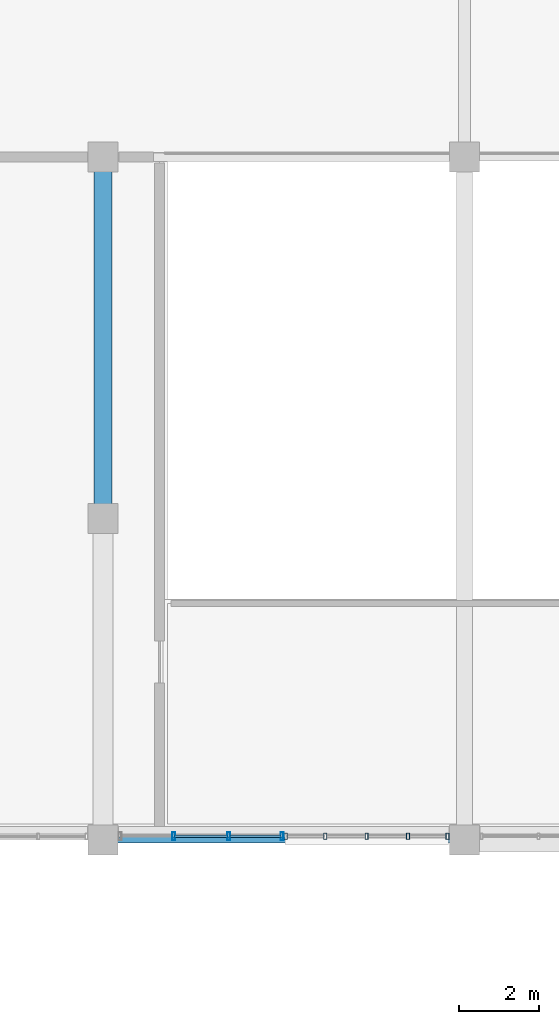
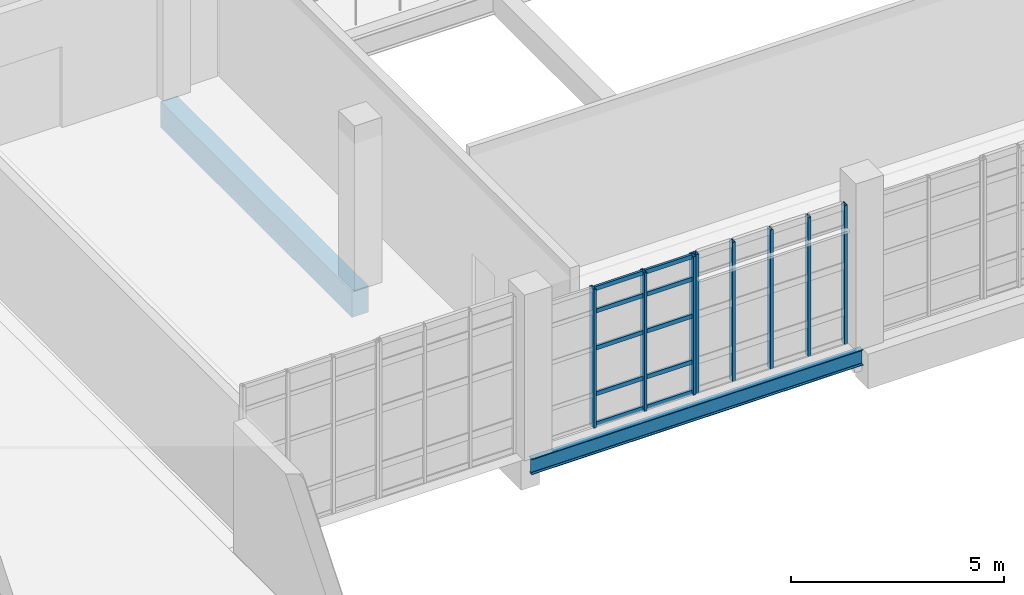
# One storey, part 42 of 102: 18 members, 2 beams, 2 elements without a shape of their own.
"""IFC4 building model written with IfcOpenShell, lengths in metres."""

from ifc_helpers import new_model, si_unit, derived_unit, direction, frame, origin, origin_2d, place, context, subcontext, project, spatial, rectangle, hollow_rectangle, i_section, extrude, material, layer, layer_set, material_profile, profile_set, type_object, element, aggregate, save


model = new_model("IFC4")

# Units and contexts
model_context = context("Model", 3, precision=1e-05, world=origin(), true_north=direction((0.0, 1.0)))
body_context = subcontext(model_context, "Body", "Model", "MODEL_VIEW")
ifc_project = project(units=[si_unit("LENGTHUNIT", "METRE"), si_unit("AREAUNIT", "SQUARE_METRE"), si_unit("VOLUMEUNIT", "CUBIC_METRE"), si_unit("PLANEANGLEUNIT", "RADIAN"), si_unit("MASSUNIT", "GRAM", prefix="KILO"), derived_unit("THERMALTRANSMITTANCEUNIT", [(si_unit("POWERUNIT", "WATT"), 1), (si_unit("LENGTHUNIT", "METRE"), -2), (si_unit("THERMODYNAMICTEMPERATUREUNIT", "KELVIN"), -1)])], contexts=[model_context])

# Site, building, storey
site_placement = place(None, origin())
site = spatial("IfcSite", under=ifc_project, at=site_placement, CompositionType="ELEMENT")
building_placement = place(site_placement, origin())
building = spatial("IfcBuilding", under=site, at=building_placement, Name="Nallur Shell Playhouse", CompositionType="ELEMENT")
storey_placement = place(building_placement, frame((0.0, 0.0, 15.0)))
storey = spatial("IfcBuildingStorey", under=building, at=storey_placement, Name="L04", CompositionType="ELEMENT", Elevation=15.0)

# Beams
ifc_material_1 = material(Name="Concrete M35", Category="concrete")
ifc_material_profile_1 = material_profile(ifc_material_1, rectangle(XDim=0.449951171875, YDim=0.75, at=origin_2d()), Name="RC 450x750")
ifc_profile_set_1 = profile_set([ifc_material_profile_1], Name="Concrete M35")
beam_type_1 = type_object("IfcBeamType", Name="BM-RC-450x750", PredefinedType="BEAM", material=ifc_profile_set_1)
beam_1_placement = place(storey_placement, frame((126.39990234375, 32.0, -0.635009765625), z_axis=(0.0, 1.0, 0.0), x_axis=(-1.0, 0.0, 0.0)))
element("IfcBeam", 1, at=beam_1_placement, inside=storey, type_object=beam_type_1, Name="L04 girder Y-16-862", PredefinedType="BEAM", context=body_context, shape_type="SweptSolid", body=[
    extrude(rectangle(XDim=0.449951171875, YDim=0.75, at=origin_2d()), origin(), (0.0, 0.0, 1.0), 9.0),
])
ifc_material_2 = material(Name="Steel E350", Category="steel")
ifc_material_profile_2 = material_profile(ifc_material_2, i_section(OverallWidth=0.14990234375, OverallDepth=0.449951171875, WebThickness=0.009521484375, FlangeThickness=0.017333984375, FilletRadius=0.014892578125, at=origin_2d()), Name="ISMB 450")
ifc_profile_set_2 = profile_set([ifc_material_profile_2], Name="Steel E350")
beam_type_2 = type_object("IfcBeamType", Name="BM-ST-ISMB450", PredefinedType="BEAM", material=ifc_profile_set_2)
beam_2_placement = place(storey_placement, frame((126.39990234375, 24.0, -0.485107421875), z_axis=(1.0, 0.0, 0.0), x_axis=(0.0, 1.0, 0.0)))
element("IfcBeam", 2, at=beam_2_placement, inside=storey, type_object=beam_type_2, Name="L04 girder X-C-763", PredefinedType="BEAM", context=body_context, shape_type="SweptSolid", body=[
    extrude(i_section(OverallWidth=0.14990234375, OverallDepth=0.449951171875, WebThickness=0.009521484375, FlangeThickness=0.017333984375, FilletRadius=0.014892578125, at=origin_2d()), origin(), (0.0, 0.0, 1.0), 9.0),
])

# Curtain wall, members
ifc_material_3 = material(Name="Anodised Aluminium Double-Glazed Facade System", Category="aluminium")
ifc_layer_1 = layer(ifc_material_3, 0.16796875)
ifc_layer_set_1 = layer_set([ifc_layer_1], Name="Anodised Aluminium Double-Glazed Facade System")
curtain_wall_type_1 = type_object("IfcCurtainWallType", Name="CW-UNIT-32", PredefinedType="NOTDEFINED", material=ifc_layer_set_1)
curtain_wall_1_placement = place(storey_placement, origin())
curtain_wall_1 = element("IfcCurtainWall", 3, at=curtain_wall_1_placement, inside=storey, type_object=curtain_wall_type_1, Name="Unitised curtain wall CW-128 (L04)", PredefinedType="NOTDEFINED")
ifc_material_4 = material(Name="Aluminium Alloy 6063-T6 Mullion", Category="aluminium")
ifc_material_profile_3 = material_profile(ifc_material_4, hollow_rectangle(XDim=0.080078125, YDim=0.159912109375, WallThickness=0.006103515625, at=origin_2d()), Name="RHS 160x80x6")
ifc_profile_set_3 = profile_set([ifc_material_profile_3], Name="Aluminium Alloy 6063-T6 Mullion")
member_type_1 = type_object("IfcMemberType", Name="MB-CW-MUL150", PredefinedType="MULLION", material=ifc_profile_set_3)
member_1_placement = place(storey_placement, frame((134.97705078125, 24.090087890625, -0.014892578125), z_axis=(0.0, 0.0, 1.0), x_axis=(-1.0, 0.0, 0.0)))
member_1 = element("IfcMember", 4, at=member_1_placement, type_object=member_type_1, Name="CW-32 mullion 1", PredefinedType="MULLION", context=body_context, shape_type="SweptSolid", body=[
    extrude(hollow_rectangle(XDim=0.080078125, YDim=0.159912109375, WallThickness=0.006103515625, at=origin_2d()), origin(), (0.0, 0.0, 1.0), 3.993896484375),
])
member_2_placement = place(storey_placement, frame((133.989013671875, 24.090087890625, -0.014892578125), z_axis=(0.0, 0.0, 1.0), x_axis=(-1.0, 0.0, 0.0)))
member_2 = element("IfcMember", 5, at=member_2_placement, type_object=member_type_1, Name="CW-32 mullion 2", PredefinedType="MULLION", context=body_context, shape_type="SweptSolid", body=[
    extrude(hollow_rectangle(XDim=0.080078125, YDim=0.159912109375, WallThickness=0.006103515625, at=origin_2d()), origin(), (0.0, 0.0, 1.0), 3.993896484375),
])
member_3_placement = place(storey_placement, frame((132.9609375, 24.090087890625, -0.014892578125), z_axis=(0.0, 0.0, 1.0), x_axis=(-1.0, 0.0, 0.0)))
member_3 = element("IfcMember", 6, at=member_3_placement, type_object=member_type_1, Name="CW-32 mullion 3", PredefinedType="MULLION", context=body_context, shape_type="SweptSolid", body=[
    extrude(hollow_rectangle(XDim=0.080078125, YDim=0.159912109375, WallThickness=0.006103515625, at=origin_2d()), origin(), (0.0, 0.0, 1.0), 3.993896484375),
])
member_4_placement = place(storey_placement, frame((131.93310546875, 24.090087890625, -0.014892578125), z_axis=(0.0, 0.0, 1.0), x_axis=(-1.0, 0.0, 0.0)))
member_4 = element("IfcMember", 7, at=member_4_placement, type_object=member_type_1, Name="CW-32 mullion 4", PredefinedType="MULLION", context=body_context, shape_type="SweptSolid", body=[
    extrude(hollow_rectangle(XDim=0.080078125, YDim=0.159912109375, WallThickness=0.006103515625, at=origin_2d()), origin(), (0.0, 0.0, 1.0), 3.993896484375),
])
member_5_placement = place(storey_placement, frame((130.945068359375, 24.090087890625, -0.014892578125), z_axis=(0.0, 0.0, 1.0), x_axis=(-1.0, 0.0, 0.0)))
member_5 = element("IfcMember", 8, at=member_5_placement, type_object=member_type_1, Name="CW-32 mullion 5", PredefinedType="MULLION", context=body_context, shape_type="SweptSolid", body=[
    extrude(hollow_rectangle(XDim=0.080078125, YDim=0.159912109375, WallThickness=0.006103515625, at=origin_2d()), origin(), (0.0, 0.0, 1.0), 3.993896484375),
])
aggregate(curtain_wall_1, [member_1, member_2, member_3, member_4, member_5])

ifc_layer_2 = layer(ifc_material_3, 0.1640625)
ifc_layer_set_2 = layer_set([ifc_layer_2], Name="Anodised Aluminium Double-Glazed Facade System")
curtain_wall_type_2 = type_object("IfcCurtainWallType", Name="CW-UNIT-01", PredefinedType="NOTDEFINED", material=ifc_layer_set_2)
curtain_wall_2_placement = place(storey_placement, origin())
curtain_wall_2 = element("IfcCurtainWall", 9, at=curtain_wall_2_placement, inside=storey, type_object=curtain_wall_type_2, Name="Unitised curtain wall CW-129 (L04)", PredefinedType="NOTDEFINED")
ifc_material_profile_4 = material_profile(ifc_material_4, hollow_rectangle(XDim=0.074951171875, YDim=0.199951171875, WallThickness=0.0048828125, at=origin_2d()), Name="ALU 75x200x5")
ifc_profile_set_4 = profile_set([ifc_material_profile_4], Name="Aluminium Alloy 6063-T6 Mullion")
member_type_2 = type_object("IfcMemberType", Name="MB-CW-MUL180", PredefinedType="MULLION", material=ifc_profile_set_4)
member_6_placement = place(storey_placement, frame((130.857421875, 24.090087890625, -0.014892578125), z_axis=(0.0, 0.0, 1.0), x_axis=(-1.0, 0.0, 0.0)))
member_6 = element("IfcMember", 10, at=member_6_placement, type_object=member_type_2, Name="CW-01 mullion 1", PredefinedType="MULLION", context=body_context, shape_type="SweptSolid", body=[
    extrude(hollow_rectangle(XDim=0.074951171875, YDim=0.199951171875, WallThickness=0.0048828125, at=origin_2d()), origin(), (0.0, 0.0, 1.0), 3.973876953125),
])
member_7_placement = place(storey_placement, frame((129.5244140625, 24.090087890625, -0.014892578125), z_axis=(0.0, 0.0, 1.0), x_axis=(-1.0, 0.0, 0.0)))
member_7 = element("IfcMember", 11, at=member_7_placement, type_object=member_type_2, Name="CW-01 mullion 2", PredefinedType="MULLION", context=body_context, shape_type="SweptSolid", body=[
    extrude(hollow_rectangle(XDim=0.074951171875, YDim=0.199951171875, WallThickness=0.0048828125, at=origin_2d()), origin(), (0.0, 0.0, 1.0), 3.973876953125),
])
member_8_placement = place(storey_placement, frame((128.153564453125, 24.090087890625, -0.014892578125), z_axis=(0.0, 0.0, 1.0), x_axis=(-1.0, 0.0, 0.0)))
member_8 = element("IfcMember", 12, at=member_8_placement, type_object=member_type_2, Name="CW-01 mullion 3", PredefinedType="MULLION", context=body_context, shape_type="SweptSolid", body=[
    extrude(hollow_rectangle(XDim=0.074951171875, YDim=0.199951171875, WallThickness=0.0048828125, at=origin_2d()), origin(), (0.0, 0.0, 1.0), 3.973876953125),
])
ifc_material_5 = material(Name="Aluminium Alloy 6063-T6 Transom", Category="aluminium")
ifc_material_profile_5 = material_profile(ifc_material_5, hollow_rectangle(XDim=0.06494140625, YDim=0.1201171875, WallThickness=0.00390625, at=origin_2d()), Name="ALU 65x120x4")
ifc_profile_set_5 = profile_set([ifc_material_profile_5], Name="Aluminium Alloy 6063-T6 Transom")
member_type_3 = type_object("IfcMemberType", Name="MB-CW-TRN120", PredefinedType="USERDEFINED", material=ifc_profile_set_5)
member_9_placement = place(storey_placement, frame((130.827880859375, 24.090087890625, 0.032470703125), z_axis=(-1.0, 0.0, 0.0), x_axis=(0.0, -1.0, 0.0)))
member_9 = element("IfcMember", 13, at=member_9_placement, type_object=member_type_3, Name="CW-01 transom 1.1", ObjectType="TRANSOM", PredefinedType="USERDEFINED", context=body_context, shape_type="SweptSolid", body=[
    extrude(hollow_rectangle(XDim=0.06494140625, YDim=0.1201171875, WallThickness=0.00390625, at=origin_2d()), origin(), (0.0, 0.0, 1.0), 1.27392578125),
])
member_10_placement = place(storey_placement, frame((130.827880859375, 24.090087890625, 0.89990234375), z_axis=(-1.0, 0.0, 0.0), x_axis=(0.0, -1.0, 0.0)))
member_10 = element("IfcMember", 14, at=member_10_placement, type_object=member_type_3, Name="CW-01 transom 1.2", ObjectType="TRANSOM", PredefinedType="USERDEFINED", context=body_context, shape_type="SweptSolid", body=[
    extrude(hollow_rectangle(XDim=0.06494140625, YDim=0.1201171875, WallThickness=0.00390625, at=origin_2d()), origin(), (0.0, 0.0, 1.0), 1.27392578125),
])
member_11_placement = place(storey_placement, frame((130.827880859375, 24.090087890625, 2.215087890625), z_axis=(-1.0, 0.0, 0.0), x_axis=(0.0, -1.0, 0.0)))
member_11 = element("IfcMember", 15, at=member_11_placement, type_object=member_type_3, Name="CW-01 transom 1.3", ObjectType="TRANSOM", PredefinedType="USERDEFINED", context=body_context, shape_type="SweptSolid", body=[
    extrude(hollow_rectangle(XDim=0.06494140625, YDim=0.1201171875, WallThickness=0.00390625, at=origin_2d()), origin(), (0.0, 0.0, 1.0), 1.27392578125),
])
member_12_placement = place(storey_placement, frame((130.827880859375, 24.090087890625, 3.27490234375), z_axis=(-1.0, 0.0, 0.0), x_axis=(0.0, -1.0, 0.0)))
member_12 = element("IfcMember", 16, at=member_12_placement, type_object=member_type_3, Name="CW-01 transom 1.4", ObjectType="TRANSOM", PredefinedType="USERDEFINED", context=body_context, shape_type="SweptSolid", body=[
    extrude(hollow_rectangle(XDim=0.06494140625, YDim=0.1201171875, WallThickness=0.00390625, at=origin_2d()), origin(), (0.0, 0.0, 1.0), 1.27392578125),
])
member_13_placement = place(storey_placement, frame((130.827880859375, 24.090087890625, 3.922607421875), z_axis=(-1.0, 0.0, 0.0), x_axis=(0.0, -1.0, 0.0)))
member_13 = element("IfcMember", 17, at=member_13_placement, type_object=member_type_3, Name="CW-01 transom 1.5", ObjectType="TRANSOM", PredefinedType="USERDEFINED", context=body_context, shape_type="SweptSolid", body=[
    extrude(hollow_rectangle(XDim=0.06494140625, YDim=0.1201171875, WallThickness=0.00390625, at=origin_2d()), origin(), (0.0, 0.0, 1.0), 1.27392578125),
])
member_14_placement = place(storey_placement, frame((129.494873046875, 24.090087890625, 0.032470703125), z_axis=(-1.0, 0.0, 0.0), x_axis=(0.0, -1.0, 0.0)))
member_14 = element("IfcMember", 18, at=member_14_placement, type_object=member_type_3, Name="CW-01 transom 2.1", ObjectType="TRANSOM", PredefinedType="USERDEFINED", context=body_context, shape_type="SweptSolid", body=[
    extrude(hollow_rectangle(XDim=0.06494140625, YDim=0.1201171875, WallThickness=0.00390625, at=origin_2d()), origin(), (0.0, 0.0, 1.0), 1.311767578125),
])
member_15_placement = place(storey_placement, frame((129.494873046875, 24.090087890625, 0.89990234375), z_axis=(-1.0, 0.0, 0.0), x_axis=(0.0, -1.0, 0.0)))
member_15 = element("IfcMember", 19, at=member_15_placement, type_object=member_type_3, Name="CW-01 transom 2.2", ObjectType="TRANSOM", PredefinedType="USERDEFINED", context=body_context, shape_type="SweptSolid", body=[
    extrude(hollow_rectangle(XDim=0.06494140625, YDim=0.1201171875, WallThickness=0.00390625, at=origin_2d()), origin(), (0.0, 0.0, 1.0), 1.311767578125),
])
member_16_placement = place(storey_placement, frame((129.494873046875, 24.090087890625, 2.215087890625), z_axis=(-1.0, 0.0, 0.0), x_axis=(0.0, -1.0, 0.0)))
member_16 = element("IfcMember", 20, at=member_16_placement, type_object=member_type_3, Name="CW-01 transom 2.3", ObjectType="TRANSOM", PredefinedType="USERDEFINED", context=body_context, shape_type="SweptSolid", body=[
    extrude(hollow_rectangle(XDim=0.06494140625, YDim=0.1201171875, WallThickness=0.00390625, at=origin_2d()), origin(), (0.0, 0.0, 1.0), 1.311767578125),
])
member_17_placement = place(storey_placement, frame((129.494873046875, 24.090087890625, 3.27490234375), z_axis=(-1.0, 0.0, 0.0), x_axis=(0.0, -1.0, 0.0)))
member_17 = element("IfcMember", 21, at=member_17_placement, type_object=member_type_3, Name="CW-01 transom 2.4", ObjectType="TRANSOM", PredefinedType="USERDEFINED", context=body_context, shape_type="SweptSolid", body=[
    extrude(hollow_rectangle(XDim=0.06494140625, YDim=0.1201171875, WallThickness=0.00390625, at=origin_2d()), origin(), (0.0, 0.0, 1.0), 1.311767578125),
])
member_18_placement = place(storey_placement, frame((129.494873046875, 24.090087890625, 3.922607421875), z_axis=(-1.0, 0.0, 0.0), x_axis=(0.0, -1.0, 0.0)))
member_18 = element("IfcMember", 22, at=member_18_placement, type_object=member_type_3, Name="CW-01 transom 2.5", ObjectType="TRANSOM", PredefinedType="USERDEFINED", context=body_context, shape_type="SweptSolid", body=[
    extrude(hollow_rectangle(XDim=0.06494140625, YDim=0.1201171875, WallThickness=0.00390625, at=origin_2d()), origin(), (0.0, 0.0, 1.0), 1.311767578125),
])
aggregate(curtain_wall_2, [member_6, member_7, member_8, member_9, member_10, member_11, member_12, member_13, member_14, member_15, member_16, member_17, member_18])

save(model, "model.ifc")
